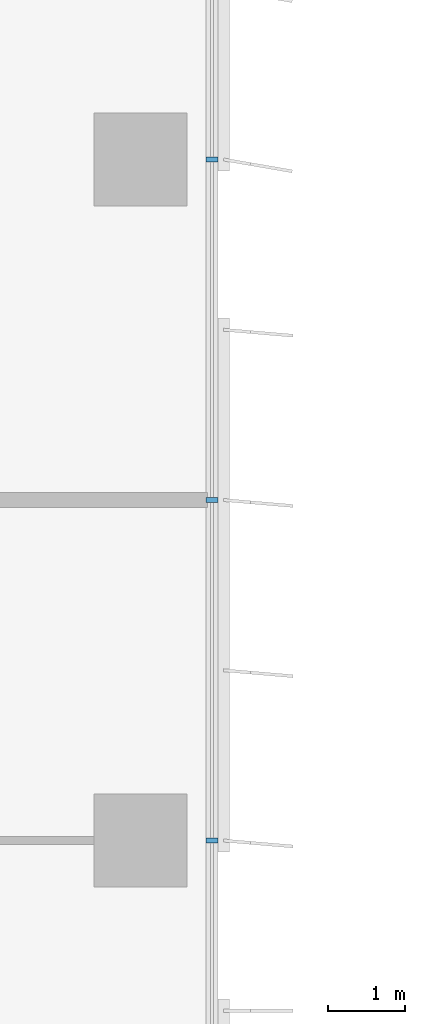
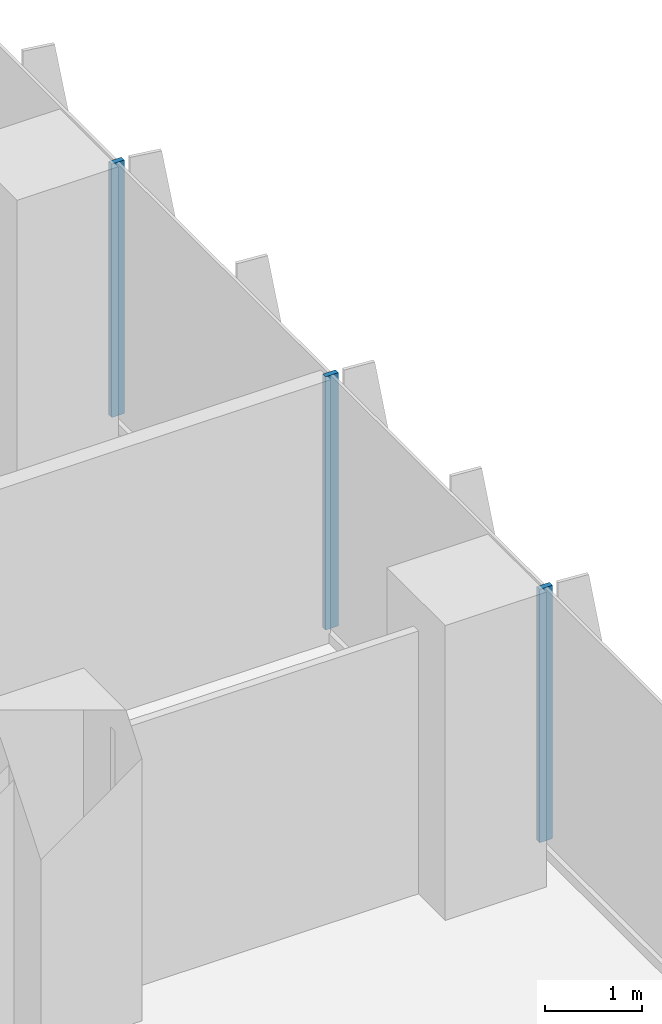
# One storey, part 7 of 22: 3 members, 1 element without a shape of its own.
"""IFC4 building model written with IfcOpenShell, lengths in metres."""

from ifc_helpers import new_model, si_unit, direction, frame, origin, origin_2d, place, context, subcontext, project, spatial, rectangle, extrude, source, transform, mapped, material, material_profile, profile_set, type_object, element, aggregate, save


model = new_model("IFC4")

# Units and contexts
model_context = context("Model", 3, precision=1e-05, world=origin(), true_north=direction((0.0, 1.0)))
body_context = subcontext(model_context, "Body", "Model", "MODEL_VIEW")
ifc_project = project(units=[si_unit("LENGTHUNIT", "METRE"), si_unit("AREAUNIT", "SQUARE_METRE"), si_unit("VOLUMEUNIT", "CUBIC_METRE"), si_unit("PLANEANGLEUNIT", "RADIAN"), si_unit("MASSUNIT", "GRAM", prefix="KILO")], contexts=[model_context])

# Site, building, storey
site_placement = place(None, origin())
site = spatial("IfcSite", under=ifc_project, at=site_placement, CompositionType="ELEMENT")
building_placement = place(site_placement, origin())
building = spatial("IfcBuilding", under=site, at=building_placement, Name="Kemantara Hotel Tower", CompositionType="ELEMENT")
storey_placement = place(building_placement, frame((0.0, 0.0, 98.199951171875)))
storey = spatial("IfcBuildingStorey", under=building, at=storey_placement, Name="L23", CompositionType="ELEMENT", Elevation=98.199951171875)

# Curtain wall, members
ifc_material_1 = material(Name="Low-E tinted double insulated glass 36 mm", Category="glass")
curtain_wall_type = type_object("IfcCurtainWallType", Name="TOWER CURTAIN WALL, FRONT FACES", PredefinedType="USERDEFINED", material=ifc_material_1)
curtain_wall_placement = place(storey_placement, origin())
curtain_wall = element("IfcCurtainWall", 1, at=curtain_wall_placement, inside=storey, type_object=curtain_wall_type, Name="CW4 L23 T2-R14-1", ObjectType="TOWER CURTAIN WALL, FRONT FACES", PredefinedType="USERDEFINED")
ifc_material_2 = material(Name="Aluminium 6063-T6 bronze anodised", Category="aluminium")
ifc_material_profile = material_profile(ifc_material_2, rectangle(XDim=0.14990234375, YDim=0.06005859375, at=origin_2d()), Name="TOWER CURTAIN WALL, FRONT FACES MULLION")
ifc_profile_set = profile_set([ifc_material_profile], Name="Aluminium 6063-T6 bronze anodised")
member_type = type_object("IfcMemberType", Name="TOWER CURTAIN WALL, FRONT FACES MULLION", PredefinedType="MULLION", material=ifc_profile_set)
shared_shape = source(origin(), body_context, "Body", "SweptSolid", [
    extrude(rectangle(XDim=0.14990234375, YDim=0.06005859375, at=origin_2d()), origin(), (0.0, 0.0, 1.0), 3.179931640625),
])
member_1_placement = place(storey_placement, frame((26.72509765625, 53.800048828125, 0.1201171875), z_axis=(0.0, 0.0, 1.0), x_axis=(-1.0, 0.0, 0.0)))
member_1 = element("IfcMember", 2, at=member_1_placement, type_object=member_type, Name="CW4 mullion T2-R14-1.9", PredefinedType="MULLION", context=body_context, shape_type="MappedRepresentation", body=[
    mapped(shared_shape, transform((0.0, 0.0, 0.0))),
])
member_2_placement = place(storey_placement, frame((26.72509765625, 58.199951171875, 0.1201171875), z_axis=(0.0, 0.0, 1.0), x_axis=(-1.0, 0.0, 0.0)))
member_2 = element("IfcMember", 3, at=member_2_placement, type_object=member_type, Name="CW4 mullion T2-R14-1.10", PredefinedType="MULLION", context=body_context, shape_type="MappedRepresentation", body=[
    mapped(shared_shape, transform((0.0, 0.0, 0.0))),
])
member_3_placement = place(storey_placement, frame((26.72509765625, 62.60009765625, 0.1201171875), z_axis=(0.0, 0.0, 1.0), x_axis=(-1.0, 0.0, 0.0)))
member_3 = element("IfcMember", 4, at=member_3_placement, type_object=member_type, Name="CW4 mullion T2-R14-1.11", PredefinedType="MULLION", context=body_context, shape_type="MappedRepresentation", body=[
    mapped(shared_shape, transform((0.0, 0.0, 0.0))),
])
aggregate(curtain_wall, [member_1, member_2, member_3])

save(model, "model.ifc")
